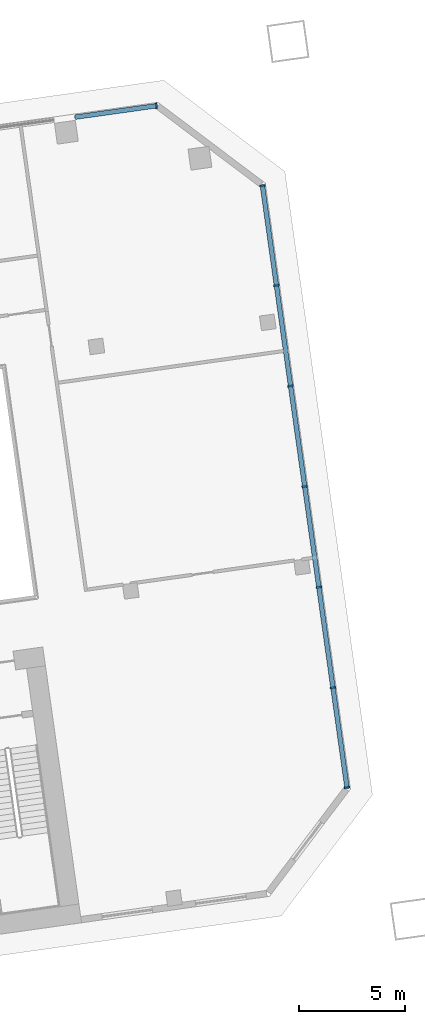
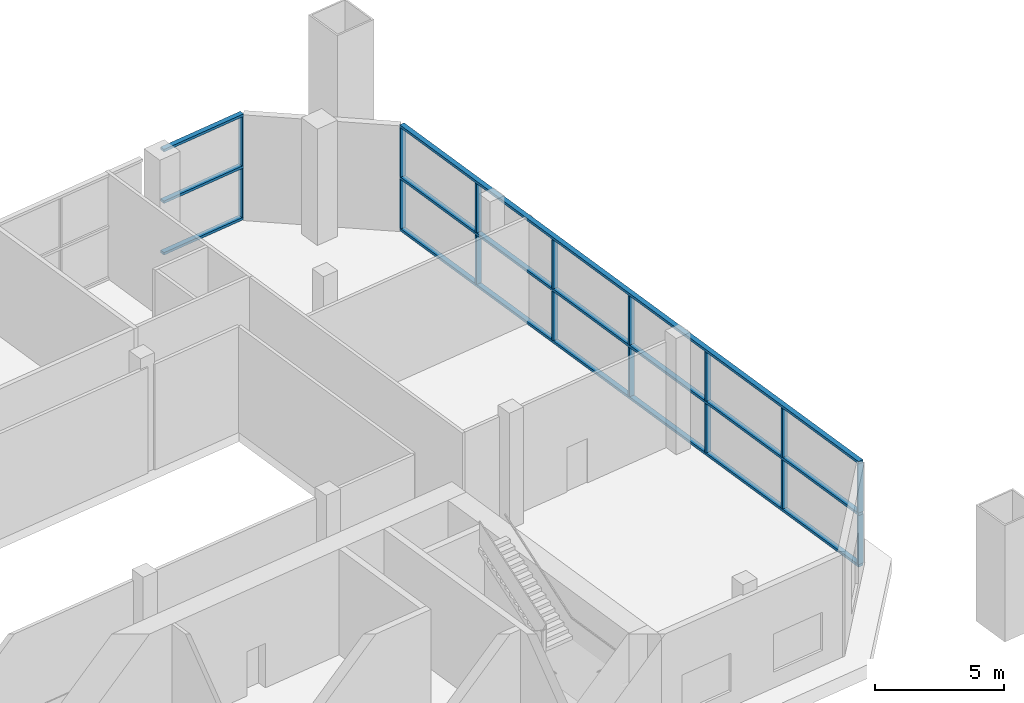
# One storey, part 7 of 23: 22 members, 2 elements without a shape of their own.
"""IFC4 building model written with IfcOpenShell, lengths in metres."""

from ifc_helpers import new_model, si_unit, direction, frame, origin, origin_2d, place, context, subcontext, project, spatial, rectangle, extrude, material, material_profile, profile_set, type_object, element, aggregate, save


model = new_model("IFC4")

# Units and contexts
model_context = context("Model", 3, precision=1e-05, world=origin(), true_north=direction((0.0, 1.0)))
body_context = subcontext(model_context, "Body", "Model", "MODEL_VIEW")
ifc_project = project(units=[si_unit("LENGTHUNIT", "METRE"), si_unit("AREAUNIT", "SQUARE_METRE"), si_unit("VOLUMEUNIT", "CUBIC_METRE"), si_unit("PLANEANGLEUNIT", "RADIAN"), si_unit("MASSUNIT", "GRAM", prefix="KILO")], contexts=[model_context])

# Site, building, storey
site_placement = place(None, origin())
site = spatial("IfcSite", under=ifc_project, at=site_placement, CompositionType="ELEMENT")
building_placement = place(site_placement, origin())
building = spatial("IfcBuilding", under=site, at=building_placement, Name="Mirante Cascada Hotel Towers", CompositionType="ELEMENT")
storey_placement = place(building_placement, frame((0.0, 0.0, 29.0)))
storey = spatial("IfcBuildingStorey", under=building, at=storey_placement, Name="L04", CompositionType="ELEMENT", Elevation=29.0)

# Curtain wall, members
ifc_material_1 = material(Name="Aluminium mullion and transom frame with clear laminated glass", Category="aluminium")
curtain_wall_type = type_object("IfcCurtainWallType", Name="Podium curtain wall ECW3", PredefinedType="NOTDEFINED", material=ifc_material_1)
curtain_wall_1_placement = place(storey_placement, origin())
curtain_wall_1 = element("IfcCurtainWall", 1, at=curtain_wall_1_placement, inside=storey, type_object=curtain_wall_type, Name="Front podium glazing T2 L04", PredefinedType="NOTDEFINED")
ifc_material_2 = material(Name="Anodised aluminium extrusion", Category="aluminium")
ifc_material_profile_1 = material_profile(ifc_material_2, rectangle(XDim=0.26, YDim=0.08, at=origin_2d()), Name="ECW3 MULLION 80x260")
ifc_profile_set_1 = profile_set([ifc_material_profile_1], Name="Anodised aluminium extrusion")
member_type_1 = type_object("IfcMemberType", Name="ECW3 mullion 80x260", PredefinedType="MULLION", material=ifc_profile_set_1)
member_1_placement = place(storey_placement, frame((94.1185, 26.0465, 0.12), z_axis=(0.0, 0.0, 1.0), x_axis=(0.1391731, -0.9902681, 0.0)))
member_1 = element("IfcMember", 2, at=member_1_placement, type_object=member_type_1, Name="ECW3 mullion 1", PredefinedType="MULLION", context=body_context, shape_type="SweptSolid", body=[
    extrude(rectangle(XDim=0.26, YDim=0.08, at=origin_2d()), origin(), (0.0, 0.0, 1.0), 2.32),
])
member_2_placement = place(storey_placement, frame((94.1185, 26.0465, 2.56), z_axis=(0.0, 0.0, 1.0), x_axis=(0.1391731, -0.9902681, 0.0)))
member_2 = element("IfcMember", 3, at=member_2_placement, type_object=member_type_1, Name="ECW3 mullion 1", PredefinedType="MULLION", context=body_context, shape_type="SweptSolid", body=[
    extrude(rectangle(XDim=0.26, YDim=0.08, at=origin_2d()), origin(), (0.0, 0.0, 1.0), 2.32),
])

curtain_wall_2_placement = place(storey_placement, origin())
curtain_wall_2 = element("IfcCurtainWall", 4, at=curtain_wall_2_placement, inside=storey, type_object=curtain_wall_type, Name="Outer end podium glazing T2 L04", PredefinedType="NOTDEFINED")
member_3_placement = place(storey_placement, frame((103.1546, -6.2582, 0.12), z_axis=(0.0, 0.0, 1.0), x_axis=(-0.9902681, -0.1391731, 0.0)))
member_3 = element("IfcMember", 5, at=member_3_placement, type_object=member_type_1, Name="ECW3 mullion 1", PredefinedType="MULLION", context=body_context, shape_type="SweptSolid", body=[
    extrude(rectangle(XDim=0.26, YDim=0.08, at=origin_2d()), origin(), (0.0, 0.0, 1.0), 2.32),
])
member_4_placement = place(storey_placement, frame((103.1546, -6.2582, 2.56), z_axis=(0.0, 0.0, 1.0), x_axis=(-0.9902681, -0.1391731, 0.0)))
member_4 = element("IfcMember", 6, at=member_4_placement, type_object=member_type_1, Name="ECW3 mullion 1", PredefinedType="MULLION", context=body_context, shape_type="SweptSolid", body=[
    extrude(rectangle(XDim=0.26, YDim=0.08, at=origin_2d()), origin(), (0.0, 0.0, 1.0), 2.32),
])
member_5_placement = place(storey_placement, frame((102.4903, -1.532, 0.12), z_axis=(0.0, 0.0, 1.0), x_axis=(-0.9902681, -0.1391731, 0.0)))
member_5 = element("IfcMember", 7, at=member_5_placement, type_object=member_type_1, Name="ECW3 mullion 2", PredefinedType="MULLION", context=body_context, shape_type="SweptSolid", body=[
    extrude(rectangle(XDim=0.26, YDim=0.08, at=origin_2d()), origin(), (0.0, 0.0, 1.0), 2.32),
])
member_6_placement = place(storey_placement, frame((102.4903, -1.532, 2.56), z_axis=(0.0, 0.0, 1.0), x_axis=(-0.9902681, -0.1391731, 0.0)))
member_6 = element("IfcMember", 8, at=member_6_placement, type_object=member_type_1, Name="ECW3 mullion 2", PredefinedType="MULLION", context=body_context, shape_type="SweptSolid", body=[
    extrude(rectangle(XDim=0.26, YDim=0.08, at=origin_2d()), origin(), (0.0, 0.0, 1.0), 2.32),
])
member_7_placement = place(storey_placement, frame((101.8205, 3.2338, 0.12), z_axis=(0.0, 0.0, 1.0), x_axis=(-0.9902681, -0.1391731, 0.0)))
member_7 = element("IfcMember", 9, at=member_7_placement, type_object=member_type_1, Name="ECW3 mullion 3", PredefinedType="MULLION", context=body_context, shape_type="SweptSolid", body=[
    extrude(rectangle(XDim=0.26, YDim=0.08, at=origin_2d()), origin(), (0.0, 0.0, 1.0), 2.32),
])
member_8_placement = place(storey_placement, frame((101.8205, 3.2338, 2.56), z_axis=(0.0, 0.0, 1.0), x_axis=(-0.9902681, -0.1391731, 0.0)))
member_8 = element("IfcMember", 10, at=member_8_placement, type_object=member_type_1, Name="ECW3 mullion 3", PredefinedType="MULLION", context=body_context, shape_type="SweptSolid", body=[
    extrude(rectangle(XDim=0.26, YDim=0.08, at=origin_2d()), origin(), (0.0, 0.0, 1.0), 2.32),
])
member_9_placement = place(storey_placement, frame((101.1508, 7.9996, 0.12), z_axis=(0.0, 0.0, 1.0), x_axis=(-0.9902681, -0.1391731, 0.0)))
member_9 = element("IfcMember", 11, at=member_9_placement, type_object=member_type_1, Name="ECW3 mullion 4", PredefinedType="MULLION", context=body_context, shape_type="SweptSolid", body=[
    extrude(rectangle(XDim=0.26, YDim=0.08, at=origin_2d()), origin(), (0.0, 0.0, 1.0), 2.32),
])
member_10_placement = place(storey_placement, frame((101.1508, 7.9996, 2.56), z_axis=(0.0, 0.0, 1.0), x_axis=(-0.9902681, -0.1391731, 0.0)))
member_10 = element("IfcMember", 12, at=member_10_placement, type_object=member_type_1, Name="ECW3 mullion 4", PredefinedType="MULLION", context=body_context, shape_type="SweptSolid", body=[
    extrude(rectangle(XDim=0.26, YDim=0.08, at=origin_2d()), origin(), (0.0, 0.0, 1.0), 2.32),
])
member_11_placement = place(storey_placement, frame((100.481, 12.7654, 0.12), z_axis=(0.0, 0.0, 1.0), x_axis=(-0.9902681, -0.1391731, 0.0)))
member_11 = element("IfcMember", 13, at=member_11_placement, type_object=member_type_1, Name="ECW3 mullion 5", PredefinedType="MULLION", context=body_context, shape_type="SweptSolid", body=[
    extrude(rectangle(XDim=0.26, YDim=0.08, at=origin_2d()), origin(), (0.0, 0.0, 1.0), 2.32),
])
member_12_placement = place(storey_placement, frame((100.481, 12.7654, 2.56), z_axis=(0.0, 0.0, 1.0), x_axis=(-0.9902681, -0.1391731, 0.0)))
member_12 = element("IfcMember", 14, at=member_12_placement, type_object=member_type_1, Name="ECW3 mullion 5", PredefinedType="MULLION", context=body_context, shape_type="SweptSolid", body=[
    extrude(rectangle(XDim=0.26, YDim=0.08, at=origin_2d()), origin(), (0.0, 0.0, 1.0), 2.32),
])
member_13_placement = place(storey_placement, frame((99.8112, 17.5312, 0.12), z_axis=(0.0, 0.0, 1.0), x_axis=(-0.9902681, -0.1391731, 0.0)))
member_13 = element("IfcMember", 15, at=member_13_placement, type_object=member_type_1, Name="ECW3 mullion 6", PredefinedType="MULLION", context=body_context, shape_type="SweptSolid", body=[
    extrude(rectangle(XDim=0.26, YDim=0.08, at=origin_2d()), origin(), (0.0, 0.0, 1.0), 2.32),
])
member_14_placement = place(storey_placement, frame((99.8112, 17.5312, 2.56), z_axis=(0.0, 0.0, 1.0), x_axis=(-0.9902681, -0.1391731, 0.0)))
member_14 = element("IfcMember", 16, at=member_14_placement, type_object=member_type_1, Name="ECW3 mullion 6", PredefinedType="MULLION", context=body_context, shape_type="SweptSolid", body=[
    extrude(rectangle(XDim=0.26, YDim=0.08, at=origin_2d()), origin(), (0.0, 0.0, 1.0), 2.32),
])
member_15_placement = place(storey_placement, frame((99.147, 22.2573, 0.12), z_axis=(0.0, 0.0, 1.0), x_axis=(-0.9902681, -0.1391731, 0.0)))
member_15 = element("IfcMember", 17, at=member_15_placement, type_object=member_type_1, Name="ECW3 mullion 7", PredefinedType="MULLION", context=body_context, shape_type="SweptSolid", body=[
    extrude(rectangle(XDim=0.26, YDim=0.08, at=origin_2d()), origin(), (0.0, 0.0, 1.0), 2.32),
])
member_16_placement = place(storey_placement, frame((99.147, 22.2573, 2.56), z_axis=(0.0, 0.0, 1.0), x_axis=(-0.9902681, -0.1391731, 0.0)))
member_16 = element("IfcMember", 18, at=member_16_placement, type_object=member_type_1, Name="ECW3 mullion 7", PredefinedType="MULLION", context=body_context, shape_type="SweptSolid", body=[
    extrude(rectangle(XDim=0.26, YDim=0.08, at=origin_2d()), origin(), (0.0, 0.0, 1.0), 2.32),
])

# Member
ifc_material_3 = material(Name="Anodised aluminium extrusion", Category="aluminium")
ifc_material_profile_2 = material_profile(ifc_material_3, rectangle(XDim=0.22, YDim=0.12, at=origin_2d()), Name="ECW3 TRANSOM 120x220")
ifc_profile_set_2 = profile_set([ifc_material_profile_2], Name="Anodised aluminium extrusion")
member_type_2 = type_object("IfcMemberType", Name="ECW3 transom 120x220", PredefinedType="USERDEFINED", material=ifc_profile_set_2)
member_17_placement = place(storey_placement, frame((94.1582, 26.0521, 0.06), z_axis=(-0.990267, -0.1391805, 0.0), x_axis=(0.1391805, -0.990267, 0.0)))
member_17 = element("IfcMember", 19, at=member_17_placement, type_object=member_type_2, Name="ECW3 sill transom", ObjectType="TRANSOM", PredefinedType="USERDEFINED", context=body_context, shape_type="SweptSolid", body=[
    extrude(rectangle(XDim=0.22, YDim=0.12, at=origin_2d()), origin(), (0.0, 0.0, 1.0), 3.9179),
])

member_18_placement = place(storey_placement, frame((94.1582, 26.0521, 2.5), z_axis=(-0.990267, -0.1391805, 0.0), x_axis=(0.1391805, -0.990267, 0.0)))
member_18 = element("IfcMember", 20, at=member_18_placement, type_object=member_type_2, Name="ECW3 intermediate transom", ObjectType="TRANSOM", PredefinedType="USERDEFINED", context=body_context, shape_type="SweptSolid", body=[
    extrude(rectangle(XDim=0.22, YDim=0.12, at=origin_2d()), origin(), (0.0, 0.0, 1.0), 3.9179),
])

member_19_placement = place(storey_placement, frame((94.1582, 26.0521, 4.94), z_axis=(-0.990267, -0.1391805, 0.0), x_axis=(0.1391805, -0.990267, 0.0)))
member_19 = element("IfcMember", 21, at=member_19_placement, type_object=member_type_2, Name="ECW3 head transom", ObjectType="TRANSOM", PredefinedType="USERDEFINED", context=body_context, shape_type="SweptSolid", body=[
    extrude(rectangle(XDim=0.22, YDim=0.12, at=origin_2d()), origin(), (0.0, 0.0, 1.0), 3.9179),
])

aggregate(curtain_wall_1, [member_17, member_18, member_19, member_1, member_2])

member_20_placement = place(storey_placement, frame((103.1601, -6.2978, 0.06), z_axis=(-0.1391723, 0.9902682, 0.0), x_axis=(-0.9902682, -0.1391723, 0.0)))
member_20 = element("IfcMember", 22, at=member_20_placement, type_object=member_type_2, Name="ECW3 sill transom", ObjectType="TRANSOM", PredefinedType="USERDEFINED", context=body_context, shape_type="SweptSolid", body=[
    extrude(rectangle(XDim=0.22, YDim=0.12, at=origin_2d()), origin(), (0.0, 0.0, 1.0), 28.8757),
])

member_21_placement = place(storey_placement, frame((103.1601, -6.2978, 2.5), z_axis=(-0.1391723, 0.9902682, 0.0), x_axis=(-0.9902682, -0.1391723, 0.0)))
member_21 = element("IfcMember", 23, at=member_21_placement, type_object=member_type_2, Name="ECW3 intermediate transom", ObjectType="TRANSOM", PredefinedType="USERDEFINED", context=body_context, shape_type="SweptSolid", body=[
    extrude(rectangle(XDim=0.22, YDim=0.12, at=origin_2d()), origin(), (0.0, 0.0, 1.0), 28.8757),
])

member_22_placement = place(storey_placement, frame((103.1601, -6.2978, 4.94), z_axis=(-0.1391723, 0.9902682, 0.0), x_axis=(-0.9902682, -0.1391723, 0.0)))
member_22 = element("IfcMember", 24, at=member_22_placement, type_object=member_type_2, Name="ECW3 head transom", ObjectType="TRANSOM", PredefinedType="USERDEFINED", context=body_context, shape_type="SweptSolid", body=[
    extrude(rectangle(XDim=0.22, YDim=0.12, at=origin_2d()), origin(), (0.0, 0.0, 1.0), 28.8757),
])

aggregate(curtain_wall_2, [member_20, member_21, member_22, member_3, member_4, member_5, member_6, member_7, member_8, member_9, member_10, member_11, member_12, member_13, member_14, member_15, member_16])

save(model, "model.ifc")
